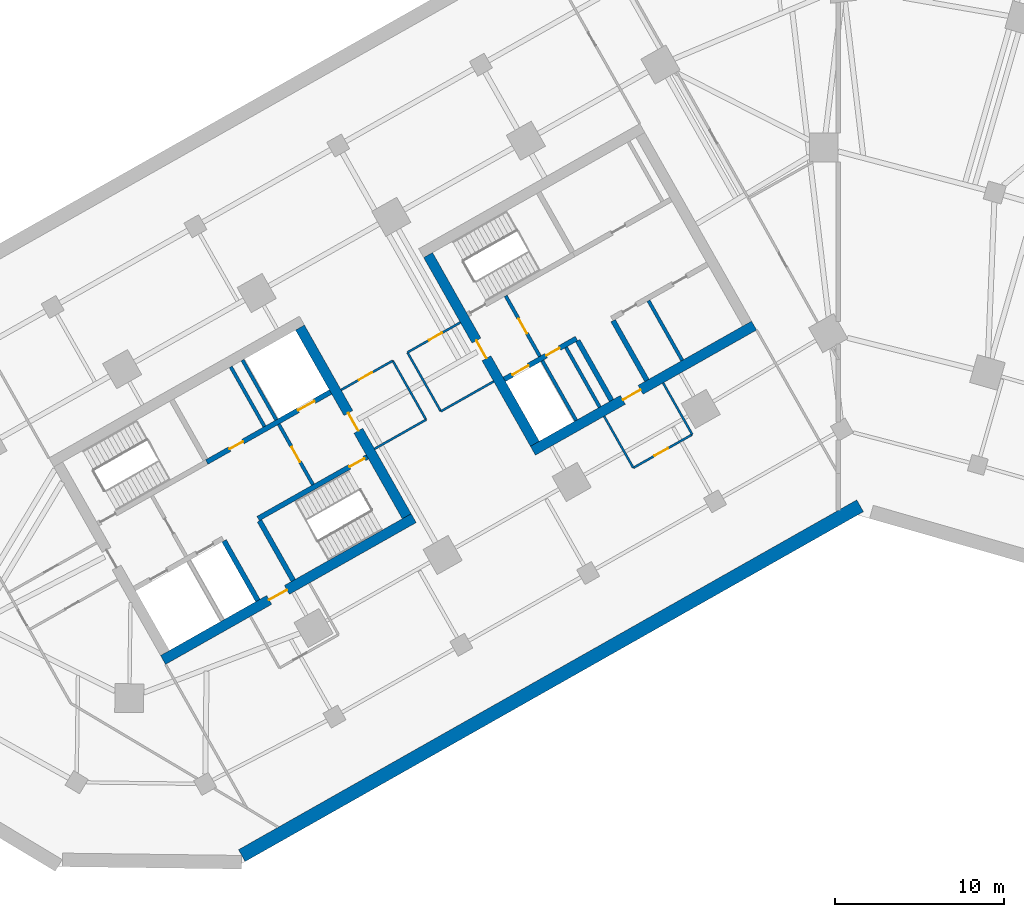
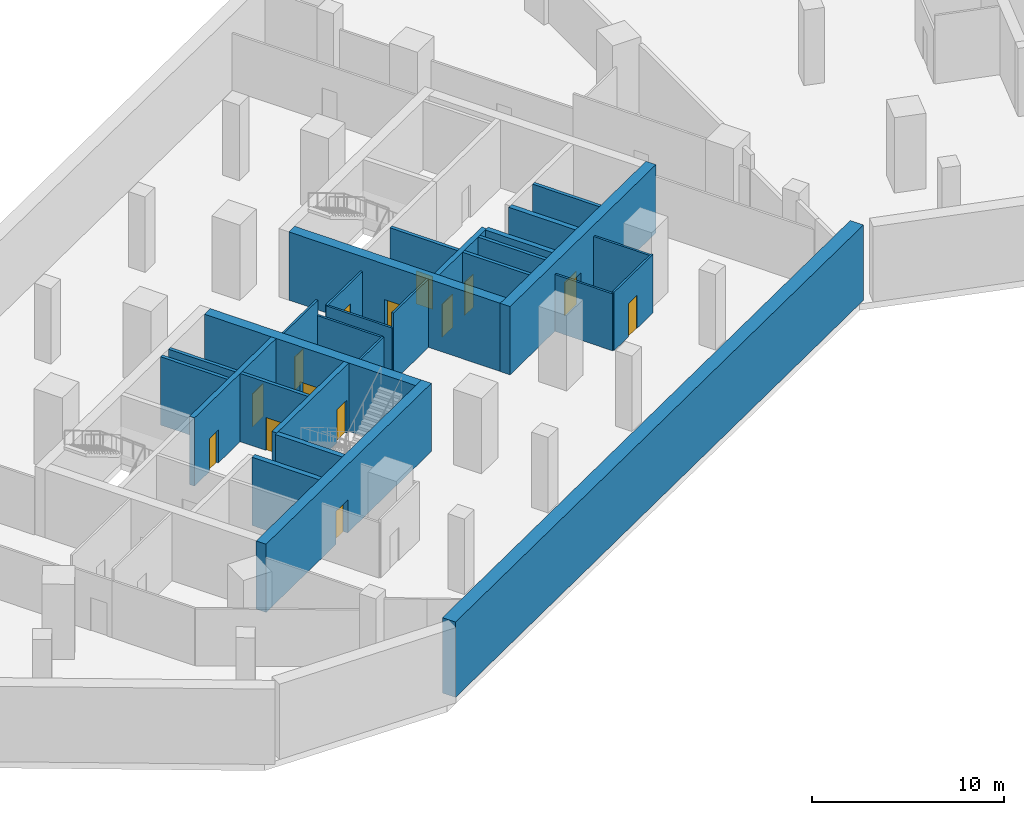
# One storey, part 6 of 13: 28 walls, 14 doors, 14 openings.
"""IFC4 building model written with IfcOpenShell, lengths in metres."""

from ifc_helpers import new_model, si_unit, direction, frame, frame_2d, origin, place, context, subcontext, project, spatial, rectangle, extrude, material, layer, layer_set, type_object, element, fill, save


model = new_model("IFC4")

# Units and contexts
model_context = context("Model", 3, precision=1e-05, world=origin(), true_north=direction((0.0, 1.0)))
body_context = subcontext(model_context, "Body", "Model", "MODEL_VIEW")
ifc_project = project(units=[si_unit("LENGTHUNIT", "METRE"), si_unit("AREAUNIT", "SQUARE_METRE"), si_unit("VOLUMEUNIT", "CUBIC_METRE"), si_unit("PLANEANGLEUNIT", "RADIAN"), si_unit("MASSUNIT", "GRAM", prefix="KILO")], contexts=[model_context])

# Site, building, storey
site_placement = place(None, origin())
site = spatial("IfcSite", under=ifc_project, at=site_placement, CompositionType="ELEMENT")
building_placement = place(site_placement, origin())
building = spatial("IfcBuilding", under=site, at=building_placement, Name="Binnacle Exchange Tower", CompositionType="ELEMENT")
storey_placement = place(building_placement, frame((0.0, 0.0, -4.800048828125)))
storey = spatial("IfcBuildingStorey", under=building, at=storey_placement, Name="B1", CompositionType="ELEMENT", Elevation=-4.800048828125)

# Walls
ifc_material_1 = material(Name="Concrete C40/50", Category="concrete")
ifc_layer_1 = layer(ifc_material_1, 0.800048828125)
ifc_layer_set_1 = layer_set([ifc_layer_1], Name="Basement retaining wall 800 Concrete C40/50")
wall_type_1 = type_object("IfcWallType", Name="Basement retaining wall 800 Concrete C40/50", PredefinedType="SOLIDWALL", material=ifc_layer_set_1)
wall_1_placement = place(storey_placement, frame((-35.21142578125, 18.197265625, 0.0), z_axis=(0.0, 0.0, 1.0), x_axis=(0.870356230452, 0.492422615355, 0.0)))
element("IfcWall", 1, at=wall_1_placement, inside=storey, type_object=wall_type_1, Name="S:RW:B1:08", PredefinedType="SOLIDWALL", context=body_context, shape_type="SweptSolid", body=[
    extrude(rectangle(XDim=41.940673828125, YDim=0.800048828125, at=frame_2d((20.97021484375, 0.0))), origin(), (0.0, 0.0, 1.0), 4.800048828125),
])
ifc_material_2 = material(Name="Gypsum partition fire rated")
ifc_layer_2 = layer(ifc_material_2, 0.199951171875)
ifc_layer_set_2 = layer_set([ifc_layer_2], Name="Core partition 200")
wall_type_2 = type_object("IfcWallType", Name="Core partition 200", PredefinedType="PARTITIONING", material=ifc_layer_set_2)
wall_2_placement = place(storey_placement, frame((-11.201904296875, 50.96240234375, 0.0), z_axis=(0.0, 0.0, 1.0), x_axis=(0.49241474071, -0.870360685654, 0.0)))
element("IfcWall", 2, at=wall_2_placement, inside=storey, type_object=wall_type_2, Name="Core wall CRWC19", PredefinedType="PARTITIONING", context=body_context, shape_type="SweptSolid", body=[
    extrude(rectangle(XDim=4.05029296875, YDim=0.199951171875, at=frame_2d((2.025146484375, 0.0))), origin(), (0.0, 0.0, 1.0), 4.35009765625),
])

# Wall, openings, doors
ifc_material_3 = material(Name="Concrete C70/85", Category="concrete")
ifc_layer_3 = layer(ifc_material_3, 0.300048828125)
ifc_layer_set_3 = layer_set([ifc_layer_3], Name="Core wall - front 300")
wall_type_3 = type_object("IfcWallType", Name="Core wall - front 300", PredefinedType="SOLIDWALL", material=ifc_layer_set_3)
wall_3_placement = place(storey_placement, frame((-37.281982421875, 41.4345703125, 0.0), z_axis=(0.0, 0.0, 1.0), x_axis=(0.870356516133, 0.492422110414, 0.0)))
wall_3 = element("IfcWall", 3, at=wall_3_placement, inside=storey, type_object=wall_type_3, Name="Core wall CRWA5", PredefinedType="SOLIDWALL", context=body_context, shape_type="SweptSolid", body=[
    extrude(rectangle(XDim=8.399658203125, YDim=0.300048828125, at=frame_2d((4.19970703125, 0.0))), origin(), (0.0, 0.0, 1.0), 4.35009765625),
])
opening_1_placement = place(wall_3_placement, frame((6.199951171875, 0.0, 0.0)))
opening_1 = element("IfcOpeningElement", 4, at=opening_1_placement, cuts=wall_3, Name="Opening LD13", PredefinedType="OPENING", context=body_context, shape_type="SweptSolid", body=[
    extrude(rectangle(XDim=1.10009765625, YDim=2.10009765625, at=frame_2d((0.550048828125, 1.050048828125))), frame((0.0, 0.159912109375, 0.0), z_axis=(0.0, -1.0, 0.0), x_axis=(1.0, 0.0, 0.0)), (0.0, 0.0, 1.0), 0.320068359375),
])
opening_2_placement = place(wall_3_placement, frame((1.550048828125, 0.0, 0.0)))
opening_2 = element("IfcOpeningElement", 5, at=opening_2_placement, cuts=wall_3, Name="Opening DA10", PredefinedType="OPENING", context=body_context, shape_type="SweptSolid", body=[
    extrude(rectangle(XDim=0.89990234375, YDim=2.10009765625, at=frame_2d((0.449951171875, 1.050048828125))), frame((0.0, 0.159912109375, 0.0), z_axis=(0.0, -1.0, 0.0), x_axis=(1.0, 0.0, 0.0)), (0.0, 0.0, 1.0), 0.320068359375),
])
ifc_material_4 = material(Name="Steel door leaf", Category="steel")
door_type_1 = type_object("IfcDoorType", Name="Fire door - lift landing 1100", OperationType="NOTDEFINED", PredefinedType="DOOR", material=ifc_material_4)
door_1_placement = place(opening_1_placement, origin())
door_1 = element("IfcDoor", 6, at=door_1_placement, inside=storey, type_object=door_type_1, Name="Landing door LD13 B1", OperationType="DOUBLE_DOOR_SLIDING", OverallHeight=2.10009765625, OverallWidth=1.10009765625, PredefinedType="DOOR", context=body_context, shape_type="SweptSolid", body=[
    extrude(rectangle(XDim=1.10009765625, YDim=2.10009765625, at=frame_2d((0.550048828125, 1.050048828125))), frame((0.0, 0.02490234375, 0.0), z_axis=(0.0, -1.0, 0.0), x_axis=(1.0, 0.0, 0.0)), (0.0, 0.0, 1.0), 0.050048828125),
])
fill(opening_1, door_1)
door_type_2 = type_object("IfcDoorType", Name="Fire door 900", OperationType="NOTDEFINED", PredefinedType="DOOR", material=ifc_material_4)
door_2_placement = place(opening_2_placement, origin())
door_2 = element("IfcDoor", 7, at=door_2_placement, inside=storey, type_object=door_type_2, Name="Core room door EQUIPMENT STORE", OperationType="SINGLE_SWING_LEFT", OverallHeight=2.10009765625, OverallWidth=0.89990234375, PredefinedType="DOOR", context=body_context, shape_type="SweptSolid", body=[
    extrude(rectangle(XDim=0.89990234375, YDim=2.10009765625, at=frame_2d((0.449951171875, 1.050048828125))), frame((0.0, 0.02490234375, 0.0), z_axis=(0.0, -1.0, 0.0), x_axis=(1.0, 0.0, 0.0)), (0.0, 0.0, 1.0), 0.050048828125),
])
fill(opening_2, door_2)

# Wall
wall_4_placement = place(storey_placement, frame((-36.260009765625, 36.784912109375, 0.0), z_axis=(0.0, 0.0, 1.0), x_axis=(0.492440575896, -0.870346068648, 0.0)))
element("IfcWall", 8, at=wall_4_placement, inside=storey, type_object=wall_type_3, Name="Core wall CRWA13", PredefinedType="SOLIDWALL", context=body_context, shape_type="SweptSolid", body=[
    extrude(rectangle(XDim=4.050048828125, YDim=0.300048828125, at=frame_2d((2.02490234375, 0.0))), origin(), (0.0, 0.0, 1.0), 4.35009765625),
])

# Wall, openings, doors
wall_5_placement = place(storey_placement, frame((-19.718017578125, 46.31640625, 0.0), z_axis=(0.0, 0.0, 1.0), x_axis=(0.870353963862, 0.492426621528, 0.0)))
wall_5 = element("IfcWall", 9, at=wall_5_placement, inside=storey, type_object=wall_type_3, Name="Core wall CRWC2", PredefinedType="SOLIDWALL", context=body_context, shape_type="SweptSolid", body=[
    extrude(rectangle(XDim=4.89990234375, YDim=0.300048828125, at=frame_2d((2.449951171875, 0.0))), origin(), (0.0, 0.0, 1.0), 4.35009765625),
])
opening_3_placement = place(wall_5_placement, frame((0.550048828125, 0.0, 0.0)))
opening_3 = element("IfcOpeningElement", 10, at=opening_3_placement, cuts=wall_5, Name="Opening LD14", PredefinedType="OPENING", context=body_context, shape_type="SweptSolid", body=[
    extrude(rectangle(XDim=1.10009765625, YDim=2.10009765625, at=frame_2d((0.550048828125, 1.050048828125))), frame((0.0, 0.159912109375, 0.0), z_axis=(0.0, -1.0, 0.0), x_axis=(1.0, 0.0, 0.0)), (0.0, 0.0, 1.0), 0.320068359375),
])
opening_4_placement = place(wall_5_placement, frame((2.85009765625, 0.0, 0.0)))
opening_4 = element("IfcOpeningElement", 11, at=opening_4_placement, cuts=wall_5, Name="Opening DC14", PredefinedType="OPENING", context=body_context, shape_type="SweptSolid", body=[
    extrude(rectangle(XDim=0.89990234375, YDim=2.10009765625, at=frame_2d((0.449951171875, 1.050048828125))), frame((0.0, 0.159912109375, 0.0), z_axis=(0.0, -1.0, 0.0), x_axis=(1.0, 0.0, 0.0)), (0.0, 0.0, 1.0), 0.320068359375),
])
door_3_placement = place(opening_3_placement, origin())
door_3 = element("IfcDoor", 12, at=door_3_placement, inside=storey, type_object=door_type_1, Name="Landing door LD14 B1", OperationType="DOUBLE_DOOR_SLIDING", OverallHeight=2.10009765625, OverallWidth=1.10009765625, PredefinedType="DOOR", context=body_context, shape_type="SweptSolid", body=[
    extrude(rectangle(XDim=1.10009765625, YDim=2.10009765625, at=frame_2d((0.550048828125, 1.050048828125))), frame((0.0, 0.02490234375, 0.0), z_axis=(0.0, -1.0, 0.0), x_axis=(1.0, 0.0, 0.0)), (0.0, 0.0, 1.0), 0.050048828125),
])
fill(opening_3, door_3)
door_4_placement = place(opening_4_placement, frame((0.89990234375, 0.0, 0.0), z_axis=(0.0, 0.0, 1.0), x_axis=(-1.0, 0.0, 0.0)))
door_4 = element("IfcDoor", 13, at=door_4_placement, inside=storey, type_object=door_type_2, Name="Core room door CLEANERS STORE", OperationType="SINGLE_SWING_LEFT", OverallHeight=2.10009765625, OverallWidth=0.89990234375, PredefinedType="DOOR", context=body_context, shape_type="SweptSolid", body=[
    extrude(rectangle(XDim=0.89990234375, YDim=2.10009765625, at=frame_2d((0.449951171875, 1.050048828125))), frame((0.0, 0.02490234375, 0.0), z_axis=(0.0, -1.0, 0.0), x_axis=(1.0, 0.0, 0.0)), (0.0, 0.0, 1.0), 0.050048828125),
])
fill(opening_4, door_4)

# Walls
for number, where, z_axis, x_axis, name in (
    (14, (-15.37939453125, 48.5986328125, 0.0), (0.0, 0.0, 1.0), (0.492394910396, -0.870371904542, 0.0), "Core wall CRWC13"),
    (15, (-13.29052734375, 49.780517578125, 0.0), (0.0, 0.0, 1.0), (0.492394910396, -0.870371904542, 0.0), "Core wall CRWC15"),
):
    element("IfcWall", number, at=place(storey_placement, frame(where, z_axis=z_axis, x_axis=x_axis)), inside=storey, type_object=wall_type_3, Name=name, PredefinedType="SOLIDWALL", context=body_context, shape_type="SweptSolid", body=[
        extrude(rectangle(XDim=4.0498046875, YDim=0.300048828125, at=frame_2d((2.02490234375, 0.0))), origin(), (0.0, 0.0, 1.0), 4.35009765625),
    ])

# Wall, opening, door
ifc_layer_4 = layer(ifc_material_3, 0.60009765625)
ifc_layer_set_4 = layer_set([ifc_layer_4], Name="Core wall - outer 600")
wall_type_4 = type_object("IfcWallType", Name="Core wall - outer 600", PredefinedType="SOLIDWALL", material=ifc_layer_set_4)
wall_6_placement = place(storey_placement, frame((-39.8623046875, 29.748779296875, 0.0), z_axis=(0.0, 0.0, 1.0), x_axis=(0.870350116061, 0.492433422375, 0.0)))
wall_6 = element("IfcWall", 16, at=wall_6_placement, inside=storey, type_object=wall_type_4, Name="Core wall CRWA1", PredefinedType="SOLIDWALL", context=body_context, shape_type="SweptSolid", body=[
    extrude(rectangle(XDim=17.0, YDim=0.60009765625, at=frame_2d((8.5, 0.0))), origin(), (0.0, 0.0, 1.0), 4.35009765625),
])
opening_5_placement = place(wall_6_placement, frame((7.199951171875, 0.0, 0.0)))
opening_5 = element("IfcOpeningElement", 17, at=opening_5_placement, cuts=wall_6, Name="Opening DA7", PredefinedType="OPENING", context=body_context, shape_type="SweptSolid", body=[
    extrude(rectangle(XDim=1.199951171875, YDim=2.10009765625, at=frame_2d((0.60009765625, 1.050048828125))), frame((0.0, 0.31005859375, 0.0), z_axis=(0.0, -1.0, 0.0), x_axis=(1.0, 0.0, 0.0)), (0.0, 0.0, 1.0), 0.6201171875),
])
door_type_3 = type_object("IfcDoorType", Name="Fire door 1200", OperationType="NOTDEFINED", PredefinedType="DOOR", material=ifc_material_4)
door_5_placement = place(opening_5_placement, frame((1.199951171875, 0.0, 0.0), z_axis=(0.0, 0.0, 1.0), x_axis=(-1.0, 0.0, 0.0)))
door_5 = element("IfcDoor", 18, at=door_5_placement, inside=storey, type_object=door_type_3, Name="Lift lobby entrance door core A", OperationType="SINGLE_SWING_RIGHT", OverallHeight=2.10009765625, OverallWidth=1.199951171875, PredefinedType="DOOR", context=body_context, shape_type="SweptSolid", body=[
    extrude(rectangle(XDim=1.199951171875, YDim=2.10009765625, at=frame_2d((0.60009765625, 1.050048828125))), frame((0.0, 0.02490234375, 0.0), z_axis=(0.0, -1.0, 0.0), x_axis=(1.0, 0.0, 0.0)), (0.0, 0.0, 1.0), 0.050048828125),
])
fill(opening_5, door_5)

wall_7_placement = place(storey_placement, frame((-31.7783203125, 49.3740234375, 0.0), z_axis=(0.0, 0.0, 1.0), x_axis=(0.492433046652, -0.870350328641, 0.0)))
wall_7 = element("IfcWall", 19, at=wall_7_placement, inside=storey, type_object=wall_type_4, Name="Core wall CRWA22", PredefinedType="SOLIDWALL", context=body_context, shape_type="SweptSolid", body=[
    extrude(rectangle(XDim=12.800048828125, YDim=0.60009765625, at=frame_2d((6.39990234375, 0.0))), origin(), (0.0, 0.0, 1.0), 4.35009765625),
])
opening_6_placement = place(wall_7_placement, frame((5.800048828125, 0.0, 0.0)))
opening_6 = element("IfcOpeningElement", 20, at=opening_6_placement, cuts=wall_7, Name="Opening DA6", PredefinedType="OPENING", context=body_context, shape_type="SweptSolid", body=[
    extrude(rectangle(XDim=1.199951171875, YDim=2.10009765625, at=frame_2d((0.60009765625, 1.050048828125))), frame((0.0, 0.31005859375, 0.0), z_axis=(0.0, -1.0, 0.0), x_axis=(1.0, 0.0, 0.0)), (0.0, 0.0, 1.0), 0.6201171875),
])
door_6_placement = place(opening_6_placement, origin())
door_6 = element("IfcDoor", 21, at=door_6_placement, inside=storey, type_object=door_type_3, Name="Vestibule exit door VEST-E", OperationType="SINGLE_SWING_RIGHT", OverallHeight=2.10009765625, OverallWidth=1.199951171875, PredefinedType="DOOR", context=body_context, shape_type="SweptSolid", body=[
    extrude(rectangle(XDim=1.199951171875, YDim=2.10009765625, at=frame_2d((0.60009765625, 1.050048828125))), frame((0.0, 0.02490234375, 0.0), z_axis=(0.0, -1.0, 0.0), x_axis=(1.0, 0.0, 0.0)), (0.0, 0.0, 1.0), 0.050048828125),
])
fill(opening_6, door_6)

wall_8_placement = place(storey_placement, frame((-18.0244140625, 42.104248046875, 0.0), z_axis=(0.0, 0.0, 1.0), x_axis=(0.870360574057, 0.492414937962, 0.0)))
wall_8 = element("IfcWall", 22, at=wall_8_placement, inside=storey, type_object=wall_type_4, Name="Core wall CRWC1", PredefinedType="SOLIDWALL", context=body_context, shape_type="SweptSolid", body=[
    extrude(rectangle(XDim=15.0, YDim=0.60009765625, at=frame_2d((7.5, 0.0))), origin(), (0.0, 0.0, 1.0), 4.35009765625),
])
opening_7_placement = place(wall_8_placement, frame((6.10009765625, 0.0, 0.0)))
opening_7 = element("IfcOpeningElement", 23, at=opening_7_placement, cuts=wall_8, Name="Opening DC7", PredefinedType="OPENING", context=body_context, shape_type="SweptSolid", body=[
    extrude(rectangle(XDim=1.199951171875, YDim=2.10009765625, at=frame_2d((0.60009765625, 1.050048828125))), frame((0.0, 0.31005859375, 0.0), z_axis=(0.0, -1.0, 0.0), x_axis=(1.0, 0.0, 0.0)), (0.0, 0.0, 1.0), 0.6201171875),
])
door_7_placement = place(opening_7_placement, frame((1.199951171875, 0.0, 0.0), z_axis=(0.0, 0.0, 1.0), x_axis=(-1.0, 0.0, 0.0)))
door_7 = element("IfcDoor", 24, at=door_7_placement, inside=storey, type_object=door_type_3, Name="Lift lobby entrance door core C", OperationType="SINGLE_SWING_RIGHT", OverallHeight=2.10009765625, OverallWidth=1.199951171875, PredefinedType="DOOR", context=body_context, shape_type="SweptSolid", body=[
    extrude(rectangle(XDim=1.199951171875, YDim=2.10009765625, at=frame_2d((0.60009765625, 1.050048828125))), frame((0.0, 0.02490234375, 0.0), z_axis=(0.0, -1.0, 0.0), x_axis=(1.0, 0.0, 0.0)), (0.0, 0.0, 1.0), 0.050048828125),
])
fill(opening_7, door_7)

wall_9_placement = place(storey_placement, frame((-24.214111328125, 53.653564453125, 0.0), z_axis=(0.0, 0.0, 1.0), x_axis=(0.492441221355, -0.870345703448, 0.0)))
wall_9 = element("IfcWall", 25, at=wall_9_placement, inside=storey, type_object=wall_type_4, Name="Core wall CRWC7", PredefinedType="SOLIDWALL", context=body_context, shape_type="SweptSolid", body=[
    extrude(rectangle(XDim=12.800048828125, YDim=0.60009765625, at=frame_2d((6.39990234375, 0.0))), origin(), (0.0, 0.0, 1.0), 4.35009765625),
])
opening_8_placement = place(wall_9_placement, frame((5.800048828125, 0.0, 0.0)))
opening_8 = element("IfcOpeningElement", 26, at=opening_8_placement, cuts=wall_9, Name="Opening DC5", PredefinedType="OPENING", context=body_context, shape_type="SweptSolid", body=[
    extrude(rectangle(XDim=1.199951171875, YDim=2.10009765625, at=frame_2d((0.60009765625, 1.050048828125))), frame((0.0, 0.31005859375, 0.0), z_axis=(0.0, -1.0, 0.0), x_axis=(1.0, 0.0, 0.0)), (0.0, 0.0, 1.0), 0.6201171875),
])
door_8_placement = place(opening_8_placement, frame((1.199951171875, 0.0, 0.0), z_axis=(0.0, 0.0, 1.0), x_axis=(-1.0, 0.0, 0.0)))
door_8 = element("IfcDoor", 27, at=door_8_placement, inside=storey, type_object=door_type_3, Name="Vestibule exit door VEST-W", OperationType="SINGLE_SWING_LEFT", OverallHeight=2.10009765625, OverallWidth=1.199951171875, PredefinedType="DOOR", context=body_context, shape_type="SweptSolid", body=[
    extrude(rectangle(XDim=1.199951171875, YDim=2.10009765625, at=frame_2d((0.60009765625, 1.050048828125))), frame((0.0, 0.02490234375, 0.0), z_axis=(0.0, -1.0, 0.0), x_axis=(1.0, 0.0, 0.0)), (0.0, 0.0, 1.0), 0.050048828125),
])
fill(opening_8, door_8)

ifc_layer_5 = layer(ifc_material_3, 0.300048828125)
ifc_layer_set_5 = layer_set([ifc_layer_5], Name="Core wall - stair 300")
wall_type_5 = type_object("IfcWallType", Name="Core wall - stair 300", PredefinedType="SOLIDWALL", material=ifc_layer_set_5)
wall_10_placement = place(storey_placement, frame((-34.2451171875, 38.097412109375, 0.0), z_axis=(0.0, 0.0, 1.0), x_axis=(0.870364910201, 0.492407273597, 0.0)))
wall_10 = element("IfcWall", 28, at=wall_10_placement, inside=storey, type_object=wall_type_5, Name="Core wall CRWA3", PredefinedType="SOLIDWALL", context=body_context, shape_type="SweptSolid", body=[
    extrude(rectangle(XDim=7.39990234375, YDim=0.300048828125, at=frame_2d((3.699951171875, 0.0))), origin(), (0.0, 0.0, 1.0), 4.35009765625),
])
opening_9_placement = place(wall_10_placement, frame((6.199951171875, 0.0, 0.0)))
opening_9 = element("IfcOpeningElement", 29, at=opening_9_placement, cuts=wall_10, Name="Opening DA2", PredefinedType="OPENING", context=body_context, shape_type="SweptSolid", body=[
    extrude(rectangle(XDim=1.0, YDim=2.10009765625, at=frame_2d((0.5, 1.050048828125))), frame((0.0, 0.159912109375, 0.0), z_axis=(0.0, -1.0, 0.0), x_axis=(1.0, 0.0, 0.0)), (0.0, 0.0, 1.0), 0.320068359375),
])
door_type_4 = type_object("IfcDoorType", Name="Fire door 1000", OperationType="NOTDEFINED", PredefinedType="DOOR", material=ifc_material_4)
door_9_placement = place(opening_9_placement, frame((1.0, 0.0, 0.0), z_axis=(0.0, 0.0, 1.0), x_axis=(-1.0, 0.0, 0.0)))
door_9 = element("IfcDoor", 30, at=door_9_placement, inside=storey, type_object=door_type_4, Name="Stair door ST-A2", OperationType="SINGLE_SWING_LEFT", OverallHeight=2.10009765625, OverallWidth=1.0, PredefinedType="DOOR", context=body_context, shape_type="SweptSolid", body=[
    extrude(rectangle(XDim=1.0, YDim=2.10009765625, at=frame_2d((0.5, 1.050048828125))), frame((0.0, 0.02490234375, 0.0), z_axis=(0.0, -1.0, 0.0), x_axis=(1.0, 0.0, 0.0)), (0.0, 0.0, 1.0), 0.050048828125),
])
fill(opening_9, door_9)

# Wall
wall_11_placement = place(storey_placement, frame((-34.171142578125, 37.966796875, 0.0), z_axis=(0.0, 0.0, 1.0), x_axis=(0.492394910396, -0.870371904542, 0.0)))
element("IfcWall", 31, at=wall_11_placement, inside=storey, type_object=wall_type_5, Name="Core wall CRWA16", PredefinedType="SOLIDWALL", context=body_context, shape_type="SweptSolid", body=[
    extrude(rectangle(XDim=4.0498046875, YDim=0.300048828125, at=frame_2d((2.02490234375, 0.0))), origin(), (0.0, 0.0, 1.0), 4.35009765625),
])

# Wall, opening, door
ifc_material_5 = material(Name="Masonry block wall", Category="masonry")
ifc_layer_6 = layer(ifc_material_5, 0.199951171875)
ifc_layer_set_6 = layer_set([ifc_layer_6], Name="Fire wall - vestibule 200")
wall_type_6 = type_object("IfcWallType", Name="Fire wall - vestibule 200", PredefinedType="PARTITIONING", material=ifc_layer_set_6)
wall_12_placement = place(storey_placement, frame((-33.030517578125, 43.66748046875, 0.0), z_axis=(0.0, 0.0, 1.0), x_axis=(0.492408451753, -0.87036424366, 0.0)))
wall_12 = element("IfcWall", 32, at=wall_12_placement, inside=storey, type_object=wall_type_6, Name="Core wall CRWA19", PredefinedType="PARTITIONING", context=body_context, shape_type="SweptSolid", body=[
    extrude(rectangle(XDim=4.099853515625, YDim=0.199951171875, at=frame_2d((2.0498046875, 0.0))), origin(), (0.0, 0.0, 1.0), 4.35009765625),
])
opening_10_placement = place(wall_12_placement, frame((1.550048828125, 0.0, 0.0)))
opening_10 = element("IfcOpeningElement", 33, at=opening_10_placement, cuts=wall_12, Name="Opening DA4", PredefinedType="OPENING", context=body_context, shape_type="SweptSolid", body=[
    extrude(rectangle(XDim=1.0, YDim=2.10009765625, at=frame_2d((0.5, 1.050048828125))), frame((0.0, 0.10986328125, 0.0), z_axis=(0.0, -1.0, 0.0), x_axis=(1.0, 0.0, 0.0)), (0.0, 0.0, 1.0), 0.219970703125),
])
door_10_placement = place(opening_10_placement, origin())
door_10 = element("IfcDoor", 34, at=door_10_placement, inside=storey, type_object=door_type_4, Name="Vestibule door VEST-E", OperationType="SINGLE_SWING_RIGHT", OverallHeight=2.10009765625, OverallWidth=1.0, PredefinedType="DOOR", context=body_context, shape_type="SweptSolid", body=[
    extrude(rectangle(XDim=1.0, YDim=2.10009765625, at=frame_2d((0.5, 1.050048828125))), frame((0.0, 0.02490234375, 0.0), z_axis=(0.0, -1.0, 0.0), x_axis=(1.0, 0.0, 0.0)), (0.0, 0.0, 1.0), 0.050048828125),
])
fill(opening_10, door_10)

wall_13_placement = place(storey_placement, frame((-19.635009765625, 51.246337890625, 0.0), z_axis=(0.0, 0.0, 1.0), x_axis=(0.492408451753, -0.87036424366, 0.0)))
wall_13 = element("IfcWall", 35, at=wall_13_placement, inside=storey, type_object=wall_type_6, Name="Core wall CRWC10", PredefinedType="PARTITIONING", context=body_context, shape_type="SweptSolid", body=[
    extrude(rectangle(XDim=4.099853515625, YDim=0.199951171875, at=frame_2d((2.0498046875, 0.0))), origin(), (0.0, 0.0, 1.0), 4.35009765625),
])
opening_11_placement = place(wall_13_placement, frame((1.550048828125, 0.0, 0.0)))
opening_11 = element("IfcOpeningElement", 36, at=opening_11_placement, cuts=wall_13, Name="Opening DC3", PredefinedType="OPENING", context=body_context, shape_type="SweptSolid", body=[
    extrude(rectangle(XDim=1.0, YDim=2.10009765625, at=frame_2d((0.5, 1.050048828125))), frame((0.0, 0.10986328125, 0.0), z_axis=(0.0, -1.0, 0.0), x_axis=(1.0, 0.0, 0.0)), (0.0, 0.0, 1.0), 0.219970703125),
])
door_11_placement = place(opening_11_placement, frame((1.0, 0.0, 0.0), z_axis=(0.0, 0.0, 1.0), x_axis=(-1.0, 0.0, 0.0)))
door_11 = element("IfcDoor", 37, at=door_11_placement, inside=storey, type_object=door_type_4, Name="Vestibule door VEST-W", OperationType="SINGLE_SWING_RIGHT", OverallHeight=2.10009765625, OverallWidth=1.0, PredefinedType="DOOR", context=body_context, shape_type="SweptSolid", body=[
    extrude(rectangle(XDim=1.0, YDim=2.10009765625, at=frame_2d((0.5, 1.050048828125))), frame((0.0, 0.02490234375, 0.0), z_axis=(0.0, -1.0, 0.0), x_axis=(1.0, 0.0, 0.0)), (0.0, 0.0, 1.0), 0.050048828125),
])
fill(opening_11, door_11)

ifc_material_6 = material(Name="Gypsum partition")
ifc_layer_7 = layer(ifc_material_6, 0.125)
ifc_layer_set_7 = layer_set([ifc_layer_7], Name="Partition 125")
wall_type_7 = type_object("IfcWallType", Name="Partition 125", PredefinedType="PARTITIONING", material=ifc_layer_set_7)
wall_14_placement = place(storey_placement, frame((-29.35009765625, 45.69189453125, 0.0), z_axis=(0.0, 0.0, 1.0), x_axis=(0.870270394775, 0.492574298942, 0.0)))
wall_14 = element("IfcWall", 38, at=wall_14_placement, inside=storey, type_object=wall_type_7, Name="Partition W18", PredefinedType="PARTITIONING", context=body_context, shape_type="SweptSolid", body=[
    extrude(rectangle(XDim=3.500244140625, YDim=0.125, at=frame_2d((1.75, 0.0))), origin(), (0.0, 0.0, 1.0), 4.35009765625),
])
opening_12_placement = place(wall_14_placement, frame((1.199951171875, 0.0, 0.0)))
opening_12 = element("IfcOpeningElement", 39, at=opening_12_placement, cuts=wall_14, Name="Opening DB1-01", PredefinedType="OPENING", context=body_context, shape_type="SweptSolid", body=[
    extrude(rectangle(XDim=0.89990234375, YDim=2.10009765625, at=frame_2d((0.449951171875, 1.050048828125))), frame((0.0, 0.072509765625, 0.0), z_axis=(0.0, -1.0, 0.0), x_axis=(1.0, 0.0, 0.0)), (0.0, 0.0, 1.0), 0.14501953125),
])
ifc_material_7 = material(Name="Timber door leaf", Category="wood")
door_type_5 = type_object("IfcDoorType", Name="Door 900", OperationType="NOTDEFINED", PredefinedType="DOOR", material=ifc_material_7)
door_12_placement = place(opening_12_placement, frame((0.89990234375, 0.0, 0.0), z_axis=(0.0, 0.0, 1.0), x_axis=(-1.0, 0.0, 0.0)))
door_12 = element("IfcDoor", 40, at=door_12_placement, inside=storey, type_object=door_type_5, Name="Door DB1-01", OperationType="SINGLE_SWING_RIGHT", OverallHeight=2.10009765625, OverallWidth=0.89990234375, PredefinedType="DOOR", context=body_context, shape_type="SweptSolid", body=[
    extrude(rectangle(XDim=0.89990234375, YDim=2.10009765625, at=frame_2d((0.449951171875, 1.050048828125))), frame((0.0, 0.02490234375, 0.0), z_axis=(0.0, -1.0, 0.0), x_axis=(1.0, 0.0, 0.0)), (0.0, 0.0, 1.0), 0.050048828125),
])
fill(opening_12, door_12)

# Walls
wall_15_placement = place(storey_placement, frame((-27.381103515625, 42.2109375, 0.0), z_axis=(0.0, 0.0, 1.0), x_axis=(0.870457605386, 0.492243392262, 0.0)))
element("IfcWall", 41, at=wall_15_placement, inside=storey, type_object=wall_type_7, Name="Partition W19", PredefinedType="PARTITIONING", context=body_context, shape_type="SweptSolid", body=[
    extrude(rectangle(XDim=3.50048828125, YDim=0.125, at=frame_2d((1.750244140625, 0.0))), origin(), (0.0, 0.0, 1.0), 3.429931640625),
])
wall_16_placement = place(storey_placement, frame((-26.303955078125, 47.416015625, 0.0), z_axis=(0.0, 0.0, 1.0), x_axis=(0.492421185685, -0.870357039317, 0.0)))
element("IfcWall", 42, at=wall_16_placement, inside=storey, type_object=wall_type_7, Name="Partition W20", PredefinedType="PARTITIONING", context=body_context, shape_type="SweptSolid", body=[
    extrude(rectangle(XDim=4.00048828125, YDim=0.125, at=frame_2d((2.000244140625, 0.0))), origin(), (0.0, 0.0, 1.0), 3.412109375),
])
wall_17_placement = place(storey_placement, frame((-25.43408203125, 47.907958984375, 0.0), z_axis=(0.0, 0.0, 1.0), x_axis=(0.492525823506, -0.870297830159, 0.0)))
element("IfcWall", 43, at=wall_17_placement, inside=storey, type_object=wall_type_7, Name="Partition W21", PredefinedType="PARTITIONING", context=body_context, shape_type="SweptSolid", body=[
    extrude(rectangle(XDim=3.999755859375, YDim=0.125, at=frame_2d((2.0, 0.0))), origin(), (0.0, 0.0, 1.0), 3.412109375),
])

# Wall, opening, door
wall_18_placement = place(storey_placement, frame((-25.43408203125, 47.907958984375, 0.0), z_axis=(0.0, 0.0, 1.0), x_axis=(0.870352535776, 0.492429145632, 0.0)))
wall_18 = element("IfcWall", 44, at=wall_18_placement, inside=storey, type_object=wall_type_7, Name="Partition W22", PredefinedType="PARTITIONING", context=body_context, shape_type="SweptSolid", body=[
    extrude(rectangle(XDim=3.590576171875, YDim=0.125, at=frame_2d((1.79541015625, 0.0))), origin(), (0.0, 0.0, 1.0), 3.412109375),
])
opening_13_placement = place(wall_18_placement, frame((1.449951171875, 0.0, 0.0)))
opening_13 = element("IfcOpeningElement", 45, at=opening_13_placement, cuts=wall_18, Name="Opening DB1-03", PredefinedType="OPENING", context=body_context, shape_type="SweptSolid", body=[
    extrude(rectangle(XDim=0.89990234375, YDim=2.10009765625, at=frame_2d((0.449951171875, 1.050048828125))), frame((0.0, 0.072509765625, 0.0), z_axis=(0.0, -1.0, 0.0), x_axis=(1.0, 0.0, 0.0)), (0.0, 0.0, 1.0), 0.14501953125),
])
door_13_placement = place(opening_13_placement, frame((0.89990234375, 0.0, 0.0), z_axis=(0.0, 0.0, 1.0), x_axis=(-1.0, 0.0, 0.0)))
door_13 = element("IfcDoor", 46, at=door_13_placement, inside=storey, type_object=door_type_5, Name="Door DB1-03", OperationType="SINGLE_SWING_LEFT", OverallHeight=2.10009765625, OverallWidth=0.89990234375, PredefinedType="DOOR", context=body_context, shape_type="SweptSolid", body=[
    extrude(rectangle(XDim=0.89990234375, YDim=2.10009765625, at=frame_2d((0.449951171875, 1.050048828125))), frame((0.0, 0.02490234375, 0.0), z_axis=(0.0, -1.0, 0.0), x_axis=(1.0, 0.0, 0.0)), (0.0, 0.0, 1.0), 0.050048828125),
])
fill(opening_13, door_13)

# Walls
wall_19_placement = place(storey_placement, frame((-23.464111328125, 44.427001953125, 0.0), z_axis=(0.0, 0.0, 1.0), x_axis=(0.870352535776, 0.492429145632, 0.0)))
element("IfcWall", 47, at=wall_19_placement, inside=storey, type_object=wall_type_7, Name="Partition W23", PredefinedType="PARTITIONING", context=body_context, shape_type="SweptSolid", body=[
    extrude(rectangle(XDim=3.590576171875, YDim=0.125, at=frame_2d((1.79541015625, 0.0))), origin(), (0.0, 0.0, 1.0), 4.35009765625),
])
wall_20_placement = place(storey_placement, frame((-13.822021484375, 44.136962890625, 0.0), z_axis=(0.0, 0.0, 1.0), x_axis=(0.492604200384, -0.870253469837, 0.0)))
element("IfcWall", 48, at=wall_20_placement, inside=storey, type_object=wall_type_7, Name="Partition W26", PredefinedType="PARTITIONING", context=body_context, shape_type="SweptSolid", body=[
    extrude(rectangle(XDim=3.5, YDim=0.125, at=frame_2d((1.75, 0.0))), origin(), (0.0, 0.0, 1.0), 3.630126953125),
])

# Wall, opening, door
wall_21_placement = place(storey_placement, frame((-12.097900390625, 41.091064453125, 0.0), z_axis=(0.0, 0.0, 1.0), x_axis=(0.870297830159, 0.492525823506, 0.0)))
wall_21 = element("IfcWall", 49, at=wall_21_placement, inside=storey, type_object=wall_type_7, Name="Partition W28", PredefinedType="PARTITIONING", context=body_context, shape_type="SweptSolid", body=[
    extrude(rectangle(XDim=3.999755859375, YDim=0.125, at=frame_2d((2.0, 0.0))), origin(), (0.0, 0.0, 1.0), 3.72412109375),
])
opening_14_placement = place(wall_21_placement, frame((1.449951171875, 0.0, 0.0)))
opening_14 = element("IfcOpeningElement", 50, at=opening_14_placement, cuts=wall_21, Name="Opening DB1-04", PredefinedType="OPENING", context=body_context, shape_type="SweptSolid", body=[
    extrude(rectangle(XDim=0.89990234375, YDim=2.10009765625, at=frame_2d((0.449951171875, 1.050048828125))), frame((0.0, 0.072509765625, 0.0), z_axis=(0.0, -1.0, 0.0), x_axis=(1.0, 0.0, 0.0)), (0.0, 0.0, 1.0), 0.14501953125),
])
door_14_placement = place(opening_14_placement, origin())
door_14 = element("IfcDoor", 51, at=door_14_placement, inside=storey, type_object=door_type_5, Name="Door DB1-04", OperationType="SINGLE_SWING_LEFT", OverallHeight=2.10009765625, OverallWidth=0.89990234375, PredefinedType="DOOR", context=body_context, shape_type="SweptSolid", body=[
    extrude(rectangle(XDim=0.89990234375, YDim=2.10009765625, at=frame_2d((0.449951171875, 1.050048828125))), frame((0.0, 0.02490234375, 0.0), z_axis=(0.0, -1.0, 0.0), x_axis=(1.0, 0.0, 0.0)), (0.0, 0.0, 1.0), 0.050048828125),
])
fill(opening_14, door_14)

# Walls
wall_22_placement = place(storey_placement, frame((-10.340087890625, 46.10693359375, 0.0), z_axis=(0.0, 0.0, 1.0), x_axis=(0.492392845909, -0.87037307248, 0.0)))
element("IfcWall", 52, at=wall_22_placement, inside=storey, type_object=wall_type_7, Name="Partition W29", PredefinedType="PARTITIONING", context=body_context, shape_type="SweptSolid", body=[
    extrude(rectangle(XDim=3.49951171875, YDim=0.125, at=frame_2d((1.749755859375, 0.0))), origin(), (0.0, 0.0, 1.0), 3.630126953125),
])
ifc_layer_8 = layer(ifc_material_5, 0.199951171875)
ifc_layer_set_8 = layer_set([ifc_layer_8], Name="Riser wall 200")
wall_type_8 = type_object("IfcWallType", Name="Riser wall 200", PredefinedType="SOLIDWALL", material=ifc_layer_set_8)
wall_23_placement = place(storey_placement, frame((-35.868896484375, 47.059814453125, 0.0), z_axis=(0.0, 0.0, 1.0), x_axis=(0.49241474071, -0.870360685654, 0.0)))
element("IfcWall", 53, at=wall_23_placement, inside=storey, type_object=wall_type_8, Name="Core wall CRWA18", PredefinedType="SOLIDWALL", context=body_context, shape_type="SweptSolid", body=[
    extrude(rectangle(XDim=4.05029296875, YDim=0.199951171875, at=frame_2d((2.025146484375, 0.0))), origin(), (0.0, 0.0, 1.0), 4.35009765625),
])
wall_24_placement = place(storey_placement, frame((-35.172607421875, 47.45361328125, 0.0), z_axis=(0.0, 0.0, 1.0), x_axis=(0.492440575896, -0.870346068648, 0.0)))
element("IfcWall", 54, at=wall_24_placement, inside=storey, type_object=wall_type_8, Name="Core wall CRWA20", PredefinedType="SOLIDWALL", context=body_context, shape_type="SweptSolid", body=[
    extrude(rectangle(XDim=4.050048828125, YDim=0.199951171875, at=frame_2d((2.02490234375, 0.0))), origin(), (0.0, 0.0, 1.0), 4.35009765625),
])
wall_25_placement = place(storey_placement, frame((-16.07568359375, 48.20458984375, 0.0), z_axis=(0.0, 0.0, 1.0), x_axis=(0.492394910396, -0.870371904542, 0.0)))
element("IfcWall", 55, at=wall_25_placement, inside=storey, type_object=wall_type_8, Name="Core wall CRWC12", PredefinedType="SOLIDWALL", context=body_context, shape_type="SweptSolid", body=[
    extrude(rectangle(XDim=4.0498046875, YDim=0.199951171875, at=frame_2d((2.02490234375, 0.0))), origin(), (0.0, 0.0, 1.0), 4.35009765625),
])
ifc_layer_9 = layer(ifc_material_5, 0.199951171875)
ifc_layer_set_9 = layer_set([ifc_layer_9], Name="Shaft wall 200")
wall_type_9 = type_object("IfcWallType", Name="Shaft wall 200", PredefinedType="SOLIDWALL", material=ifc_layer_set_9)
wall_26_placement = place(storey_placement, frame((-17.468505859375, 47.416748046875, 0.0), z_axis=(0.0, 0.0, 1.0), x_axis=(0.492440575896, -0.870346068648, 0.0)))
element("IfcWall", 56, at=wall_26_placement, inside=storey, type_object=wall_type_9, Name="Core wall CRWC9", PredefinedType="SOLIDWALL", context=body_context, shape_type="SweptSolid", body=[
    extrude(rectangle(XDim=4.050048828125, YDim=0.199951171875, at=frame_2d((2.02490234375, 0.0))), origin(), (0.0, 0.0, 1.0), 4.35009765625),
])

save(model, "model.ifc")
